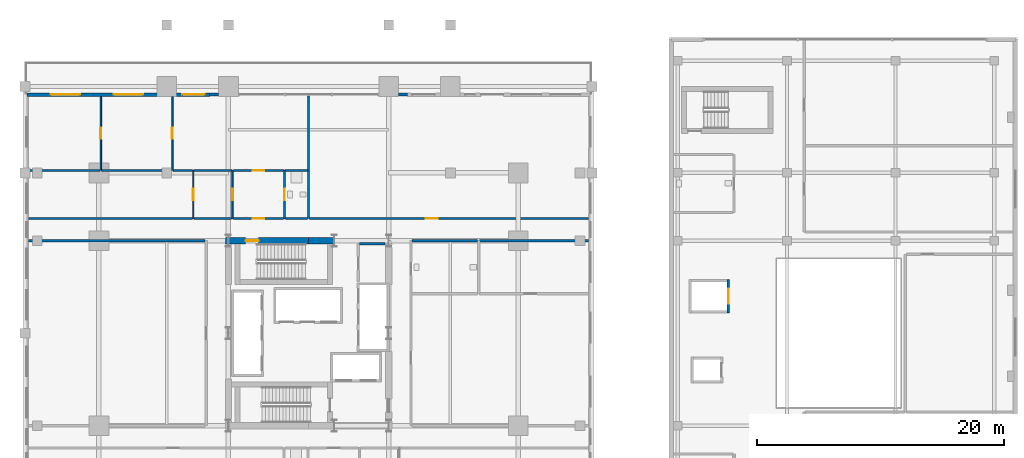
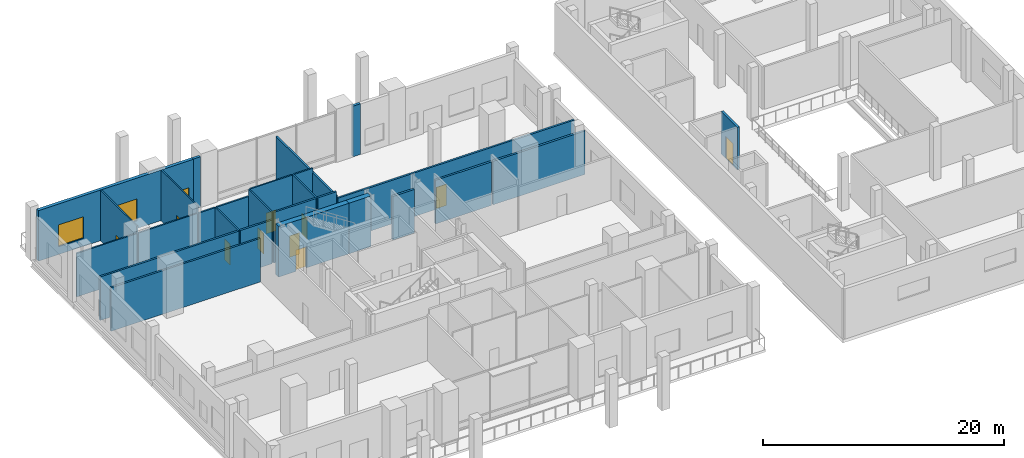
# One storey, part 14 of 22: 27 walls, 10 doors, 3 windows, 13 openings.
"""IFC4 building model written with IfcOpenShell, lengths in metres."""

from ifc_helpers import new_model, si_unit, direction, frame, frame_2d, origin, place, context, subcontext, project, spatial, rectangle, extrude, material, layer, layer_set, type_object, element, fill, save


model = new_model("IFC4")

# Units and contexts
model_context = context("Model", 3, precision=1e-05, world=origin(), true_north=direction((0.0, 1.0)))
body_context = subcontext(model_context, "Body", "Model", "MODEL_VIEW")
ifc_project = project(units=[si_unit("LENGTHUNIT", "METRE"), si_unit("AREAUNIT", "SQUARE_METRE"), si_unit("VOLUMEUNIT", "CUBIC_METRE"), si_unit("PLANEANGLEUNIT", "RADIAN"), si_unit("MASSUNIT", "GRAM", prefix="KILO")], contexts=[model_context])

# Site, building, storey
site_placement = place(None, origin())
site = spatial("IfcSite", under=ifc_project, at=site_placement, CompositionType="ELEMENT")
building_placement = place(site_placement, origin())
building = spatial("IfcBuilding", under=site, at=building_placement, Name="Barlavira Tower and Art Museum", CompositionType="ELEMENT")
storey_placement = place(building_placement, frame((0.0, 0.0, 16.800048828125)))
storey = spatial("IfcBuildingStorey", under=building, at=storey_placement, Name="L03", CompositionType="ELEMENT", Elevation=16.800048828125)

# Wall, opening, door
ifc_material_1 = material(Name="Gypsum acoustic stud partition", Category="gypsum")
ifc_layer_1 = layer(ifc_material_1, 0.1201171875, Name="Gypsum acoustic stud partition")
ifc_layer_set_1 = layer_set([ifc_layer_1], Name="Gypsum acoustic stud partition")
wall_type_1 = type_object("IfcWallType", Name="Apartment Internal Acoustic Partition 120", PredefinedType="PARTITIONING", material=ifc_layer_set_1)
wall_1_placement = place(storey_placement, frame((-16.85009765625, 13.199951171875, 0.0), z_axis=(0.0, 0.0, 1.0), x_axis=(0.0, 1.0, 0.0)))
wall_1 = element("IfcWall", 1, at=wall_1_placement, inside=storey, type_object=wall_type_1, Name="L03 Partition Wall 1", PredefinedType="PARTITIONING", context=body_context, shape_type="SweptSolid", body=[
    extrude(rectangle(XDim=5.9951171875, YDim=0.1201171875, at=frame_2d((2.99755859375, 0.0))), origin(), (0.0, 0.0, 1.0), 5.119873046875),
])
opening_1_placement = place(wall_1_placement, frame((2.550048828125, 0.0, 0.0)))
opening_1 = element("IfcOpeningElement", 2, at=opening_1_placement, cuts=wall_1, Name="Opening D-01", PredefinedType="OPENING", context=body_context, shape_type="SweptSolid", body=[
    extrude(rectangle(XDim=0.89990234375, YDim=2.10009765625, at=frame_2d((0.449951171875, 1.050048828125))), frame((0.0, 0.070068359375, 0.0), z_axis=(0.0, -1.0, 0.0), x_axis=(1.0, 0.0, 0.0)), (0.0, 0.0, 1.0), 0.14013671875),
])
ifc_material_2 = material(Name="Engineered coastal hardwood", Category="wood")
door_type_1 = type_object("IfcDoorType", Name="Internal Bedroom Timber Flush Door 900x2100", OperationType="NOTDEFINED", PredefinedType="DOOR", material=ifc_material_2)
door_1_placement = place(opening_1_placement, origin())
door_1 = element("IfcDoor", 3, at=door_1_placement, inside=storey, type_object=door_type_1, Name="Apartment P3-NW Bedroom 2 Door", OperationType="SINGLE_SWING_RIGHT", OverallHeight=2.10009765625, OverallWidth=0.89990234375, PredefinedType="DOOR", context=body_context, shape_type="SweptSolid", body=[
    extrude(rectangle(XDim=0.89990234375, YDim=2.10009765625, at=frame_2d((0.449951171875, 1.050048828125))), frame((0.0, 0.02490234375, 0.0), z_axis=(0.0, -1.0, 0.0), x_axis=(1.0, 0.0, 0.0)), (0.0, 0.0, 1.0), 0.050048828125),
])
fill(opening_1, door_1)

wall_2_placement = place(storey_placement, frame((-11.050048828125, 13.199951171875, 0.0), z_axis=(0.0, 0.0, 1.0), x_axis=(0.0, 1.0, 0.0)))
wall_2 = element("IfcWall", 4, at=wall_2_placement, inside=storey, type_object=wall_type_1, Name="L03 Partition Wall 2", PredefinedType="PARTITIONING", context=body_context, shape_type="SweptSolid", body=[
    extrude(rectangle(XDim=5.9951171875, YDim=0.1201171875, at=frame_2d((2.99755859375, 0.0))), origin(), (0.0, 0.0, 1.0), 5.119873046875),
])
opening_2_placement = place(wall_2_placement, frame((2.550048828125, 0.0, 0.0)))
opening_2 = element("IfcOpeningElement", 5, at=opening_2_placement, cuts=wall_2, Name="Opening D-01", PredefinedType="OPENING", context=body_context, shape_type="SweptSolid", body=[
    extrude(rectangle(XDim=0.89990234375, YDim=2.10009765625, at=frame_2d((0.449951171875, 1.050048828125))), frame((0.0, 0.070068359375, 0.0), z_axis=(0.0, -1.0, 0.0), x_axis=(1.0, 0.0, 0.0)), (0.0, 0.0, 1.0), 0.14013671875),
])
door_2_placement = place(opening_2_placement, origin())
door_2 = element("IfcDoor", 6, at=door_2_placement, inside=storey, type_object=door_type_1, Name="Apartment P3-NW Bedroom 1 Door", OperationType="SINGLE_SWING_LEFT", OverallHeight=2.10009765625, OverallWidth=0.89990234375, PredefinedType="DOOR", context=body_context, shape_type="SweptSolid", body=[
    extrude(rectangle(XDim=0.89990234375, YDim=2.10009765625, at=frame_2d((0.449951171875, 1.050048828125))), frame((0.0, 0.02490234375, 0.0), z_axis=(0.0, -1.0, 0.0), x_axis=(1.0, 0.0, 0.0)), (0.0, 0.0, 1.0), 0.050048828125),
])
fill(opening_2, door_2)

wall_3_placement = place(storey_placement, frame((-9.35009765625, 9.300048828125, 0.0), z_axis=(0.0, 0.0, 1.0), x_axis=(0.0, 1.0, 0.0)))
wall_3 = element("IfcWall", 7, at=wall_3_placement, inside=storey, type_object=wall_type_1, Name="L03 Partition Wall 3", PredefinedType="PARTITIONING", context=body_context, shape_type="SweptSolid", body=[
    extrude(rectangle(XDim=3.89990234375, YDim=0.1201171875, at=frame_2d((1.949951171875, 0.0))), origin(), (0.0, 0.0, 1.0), 4.409912109375),
])
opening_3_placement = place(wall_3_placement, frame((1.5, 0.0, 0.0)))
opening_3 = element("IfcOpeningElement", 8, at=opening_3_placement, cuts=wall_3, Name="Opening D-01", PredefinedType="OPENING", context=body_context, shape_type="SweptSolid", body=[
    extrude(rectangle(XDim=0.89990234375, YDim=2.10009765625, at=frame_2d((0.449951171875, 1.050048828125))), frame((0.0, 0.070068359375, 0.0), z_axis=(0.0, -1.0, 0.0), x_axis=(1.0, 0.0, 0.0)), (0.0, 0.0, 1.0), 0.14013671875),
])
door_3_placement = place(opening_3_placement, origin())
door_3 = element("IfcDoor", 9, at=door_3_placement, inside=storey, type_object=door_type_1, Name="Apartment P3-NW Walk-In Dressing Room Door", OperationType="SINGLE_SWING_LEFT", OverallHeight=2.10009765625, OverallWidth=0.89990234375, PredefinedType="DOOR", context=body_context, shape_type="SweptSolid", body=[
    extrude(rectangle(XDim=0.89990234375, YDim=2.10009765625, at=frame_2d((0.449951171875, 1.050048828125))), frame((0.0, 0.02490234375, 0.0), z_axis=(0.0, -1.0, 0.0), x_axis=(1.0, 0.0, 0.0)), (0.0, 0.0, 1.0), 0.050048828125),
])
fill(opening_3, door_3)

wall_4_placement = place(storey_placement, frame((-6.14990234375, 9.300048828125, 0.0), z_axis=(0.0, 0.0, 1.0), x_axis=(0.0, 1.0, 0.0)))
wall_4 = element("IfcWall", 10, at=wall_4_placement, inside=storey, type_object=wall_type_1, Name="L03 Partition Wall 5", PredefinedType="PARTITIONING", context=body_context, shape_type="SweptSolid", body=[
    extrude(rectangle(XDim=3.89990234375, YDim=0.1201171875, at=frame_2d((1.949951171875, 0.0))), origin(), (0.0, 0.0, 1.0), 5.119873046875),
])
opening_4_placement = place(wall_4_placement, frame((1.47509765625, 0.0, 0.0)))
opening_4 = element("IfcOpeningElement", 11, at=opening_4_placement, cuts=wall_4, Name="Opening D-02", PredefinedType="OPENING", context=body_context, shape_type="SweptSolid", body=[
    extrude(rectangle(XDim=0.949951171875, YDim=2.10009765625, at=frame_2d((0.47509765625, 1.050048828125))), frame((0.0, 0.070068359375, 0.0), z_axis=(0.0, -1.0, 0.0), x_axis=(1.0, 0.0, 0.0)), (0.0, 0.0, 1.0), 0.14013671875),
])
door_type_2 = type_object("IfcDoorType", Name="Living and Salon Glazed-Leaf Door 950x2100", OperationType="NOTDEFINED", PredefinedType="DOOR", material=ifc_material_2)
door_4_placement = place(opening_4_placement, origin())
door_4 = element("IfcDoor", 12, at=door_4_placement, inside=storey, type_object=door_type_2, Name="Apartment P3-NW Kitchen Door", OperationType="SINGLE_SWING_RIGHT", OverallHeight=2.10009765625, OverallWidth=0.949951171875, PredefinedType="DOOR", context=body_context, shape_type="SweptSolid", body=[
    extrude(rectangle(XDim=0.949951171875, YDim=2.10009765625, at=frame_2d((0.47509765625, 1.050048828125))), frame((0.0, 0.02490234375, 0.0), z_axis=(0.0, -1.0, 0.0), x_axis=(1.0, 0.0, 0.0)), (0.0, 0.0, 1.0), 0.050048828125),
])
fill(opening_4, door_4)

ifc_material_3 = material(Name="Concrete C60", Category="concrete")
ifc_layer_2 = layer(ifc_material_3, 0.5, Name="Concrete C60")
ifc_layer_set_2 = layer_set([ifc_layer_2], Name="Concrete C60")
wall_type_2 = type_object("IfcWallType", Name="Core Structural Shear Wall 500 Concrete C60", PredefinedType="SHEAR", material=ifc_layer_set_2)
wall_5_placement = place(storey_placement, frame((-6.75, 7.5, 0.0), z_axis=(0.0, 0.0, 1.0), x_axis=(1.0, 0.0, 0.0)))
wall_5 = element("IfcWall", 13, at=wall_5_placement, inside=storey, type_object=wall_type_2, Name="L03 Core Shear Wall CS-NW", PredefinedType="SHEAR", context=body_context, shape_type="SweptSolid", body=[
    extrude(rectangle(XDim=6.75, YDim=0.5, at=frame_2d((3.375, 0.0))), origin(), (0.0, 0.0, 1.0), 5.119873046875),
])
opening_5_placement = place(wall_5_placement, frame((1.64990234375, 0.0, 0.0)))
opening_5 = element("IfcOpeningElement", 14, at=opening_5_placement, cuts=wall_5, Name="Opening FD-90", PredefinedType="OPENING", context=body_context, shape_type="SweptSolid", body=[
    extrude(rectangle(XDim=1.050048828125, YDim=2.14990234375, at=frame_2d((0.52490234375, 1.074951171875))), frame((0.0, 0.260009765625, 0.0), z_axis=(0.0, -1.0, 0.0), x_axis=(1.0, 0.0, 0.0)), (0.0, 0.0, 1.0), 0.52001953125),
])
ifc_material_4 = material(Name="Brushed stainless steel", Category="steel")
door_type_3 = type_object("IfcDoorType", Name="Stair and Refuge Fire Door 1050x2150 FD90S", OperationType="NOTDEFINED", PredefinedType="DOOR", material=ifc_material_4)
door_5_placement = place(opening_5_placement, origin())
door_5 = element("IfcDoor", 15, at=door_5_placement, inside=storey, type_object=door_type_3, Name="L03 Stair ST-T2 Fire Door", OperationType="SINGLE_SWING_LEFT", OverallHeight=2.14990234375, OverallWidth=1.050048828125, PredefinedType="DOOR", context=body_context, shape_type="SweptSolid", body=[
    extrude(rectangle(XDim=1.050048828125, YDim=2.14990234375, at=frame_2d((0.52490234375, 1.074951171875))), frame((0.0, 0.02490234375, 0.0), z_axis=(0.0, -1.0, 0.0), x_axis=(1.0, 0.0, 0.0)), (0.0, 0.0, 1.0), 0.050048828125),
])
fill(opening_5, door_5)

# Wall
wall_6_placement = place(storey_placement, frame((0.0, 7.5, 0.0), z_axis=(0.0, 0.0, 1.0), x_axis=(1.0, 0.0, 0.0)))
element("IfcWall", 16, at=wall_6_placement, inside=storey, type_object=wall_type_2, Name="L03 Core Shear Wall CS-EN", PredefinedType="SHEAR", context=body_context, shape_type="SweptSolid", body=[
    extrude(rectangle(XDim=2.080078125, YDim=0.5, at=frame_2d((1.0400390625, 0.0))), origin(), (0.0, 0.0, 1.0), 5.119873046875),
])

# Wall, opening, door
ifc_material_5 = material(Name="Autoclaved aerated concrete masonry", Category="masonry")
ifc_layer_3 = layer(ifc_material_5, 0.199951171875, Name="Autoclaved aerated concrete masonry")
ifc_layer_set_3 = layer_set([ifc_layer_3], Name="Autoclaved aerated concrete masonry")
wall_type_3 = type_object("IfcWallType", Name="Fire Compartment and Shaft Wall 200", PredefinedType="SOLIDWALL", material=ifc_layer_set_3)
wall_7_placement = place(storey_placement, frame((34.050048828125, 1.64990234375, 0.0), z_axis=(0.0, 0.0, 1.0), x_axis=(0.0, 1.0, 0.0)))
wall_7 = element("IfcWall", 17, at=wall_7_placement, inside=storey, type_object=wall_type_3, Name="L03 Museum Lift MG1 Front Wall", PredefinedType="SOLIDWALL", context=body_context, shape_type="SweptSolid", body=[
    extrude(rectangle(XDim=2.7001953125, YDim=0.199951171875, at=frame_2d((1.35009765625, 0.0))), origin(), (0.0, 0.0, 1.0), 4.296875),
])
opening_6_placement = place(wall_7_placement, frame((0.75, 0.0, 0.0)))
opening_6 = element("IfcOpeningElement", 18, at=opening_6_placement, cuts=wall_7, Name="Opening LD-F", PredefinedType="OPENING", context=body_context, shape_type="SweptSolid", body=[
    extrude(rectangle(XDim=1.199951171875, YDim=2.199951171875, at=frame_2d((0.60009765625, 1.10009765625))), frame((0.0, 0.10986328125, 0.0), z_axis=(0.0, -1.0, 0.0), x_axis=(1.0, 0.0, 0.0)), (0.0, 0.0, 1.0), 0.219970703125),
])
door_type_4 = type_object("IfcDoorType", Name="Firefighting and Service Lift Sliding Door 1200x2200 FD120", OperationType="NOTDEFINED", PredefinedType="DOOR", material=ifc_material_4)
door_6_placement = place(opening_6_placement, origin())
door_6 = element("IfcDoor", 19, at=door_6_placement, inside=storey, type_object=door_type_4, Name="L03 Museum Lift MG1 Sliding Landing Door", OperationType="DOUBLE_DOOR_SLIDING", OverallHeight=2.199951171875, OverallWidth=1.199951171875, PredefinedType="DOOR", context=body_context, shape_type="SweptSolid", body=[
    extrude(rectangle(XDim=1.199951171875, YDim=2.199951171875, at=frame_2d((0.60009765625, 1.10009765625))), frame((0.0, 0.02490234375, 0.0), z_axis=(0.0, -1.0, 0.0), x_axis=(1.0, 0.0, 0.0)), (0.0, 0.0, 1.0), 0.050048828125),
])
fill(opening_6, door_6)

# Walls
wall_8_placement = place(storey_placement, frame((4.1298828125, 7.25, 0.0), z_axis=(0.0, 0.0, 1.0), x_axis=(1.0, 0.0, 0.0)))
element("IfcWall", 20, at=wall_8_placement, inside=storey, type_object=wall_type_3, Name="L03 Partition Wall 43", PredefinedType="SOLIDWALL", context=body_context, shape_type="SweptSolid", body=[
    extrude(rectangle(XDim=2.070068359375, YDim=0.199951171875, at=frame_2d((1.03515625, 0.0))), origin(), (0.0, 0.0, 1.0), 4.409912109375),
])
wall_9_placement = place(storey_placement, frame((8.3798828125, 7.5, 0.0), z_axis=(0.0, 0.0, 1.0), x_axis=(1.0, 0.0, 0.0)))
element("IfcWall", 21, at=wall_9_placement, inside=storey, type_object=wall_type_3, Name="L03 Partition Wall 45", PredefinedType="SOLIDWALL", context=body_context, shape_type="SweptSolid", body=[
    extrude(rectangle(XDim=5.340087890625, YDim=0.199951171875, at=frame_2d((2.669921875, 0.0))), origin(), (0.0, 0.0, 1.0), 4.409912109375),
])
wall_10_placement = place(storey_placement, frame((13.8798828125, 7.5, 0.0), z_axis=(0.0, 0.0, 1.0), x_axis=(1.0, 0.0, 0.0)))
element("IfcWall", 22, at=wall_10_placement, inside=storey, type_object=wall_type_3, Name="L03 Partition Wall 46", PredefinedType="SOLIDWALL", context=body_context, shape_type="SweptSolid", body=[
    extrude(rectangle(XDim=8.815185546875, YDim=0.199951171875, at=frame_2d((4.40771484375, 0.0))), origin(), (0.0, 0.0, 1.0), 4.409912109375),
])
ifc_layer_4 = layer(ifc_material_1, 0.179931640625, Name="Gypsum acoustic stud partition")
ifc_layer_set_4 = layer_set([ifc_layer_4], Name="Gypsum acoustic stud partition")
wall_type_4 = type_object("IfcWallType", Name="Inter-Tenancy Party Partition Wall 180", PredefinedType="PARTITIONING", material=ifc_layer_set_4)
wall_11_placement = place(storey_placement, frame((0.0, 9.300048828125, 0.0), z_axis=(0.0, 0.0, 1.0), x_axis=(0.0, 1.0, 0.0)))
element("IfcWall", 23, at=wall_11_placement, inside=storey, type_object=wall_type_4, Name="L03 Partition Wall 9", PredefinedType="PARTITIONING", context=body_context, shape_type="SweptSolid", body=[
    extrude(rectangle(XDim=9.954833984375, YDim=0.179931640625, at=frame_2d((4.9775390625, 0.0))), origin(), (0.0, 0.0, 1.0), 4.641845703125),
])
wall_12_placement = place(storey_placement, frame((-22.695068359375, 7.5, 0.0), z_axis=(0.0, 0.0, 1.0), x_axis=(1.0, 0.0, 0.0)))
element("IfcWall", 24, at=wall_12_placement, inside=storey, type_object=wall_type_4, Name="L03 Partition Wall 44", PredefinedType="PARTITIONING", context=body_context, shape_type="SweptSolid", body=[
    extrude(rectangle(XDim=14.315185546875, YDim=0.179931640625, at=frame_2d((7.15771484375, 0.0))), origin(), (0.0, 0.0, 1.0), 4.409912109375),
])
wall_13_placement = place(storey_placement, frame((-22.695068359375, 9.300048828125, 0.0), z_axis=(0.0, 0.0, 1.0), x_axis=(1.0, 0.0, 0.0)))
element("IfcWall", 25, at=wall_13_placement, inside=storey, type_object=wall_type_4, Name="L03 Partition Wall 48", PredefinedType="PARTITIONING", context=body_context, shape_type="SweptSolid", body=[
    extrude(rectangle(XDim=13.26513671875, YDim=0.179931640625, at=frame_2d((6.632568359375, 0.0))), origin(), (0.0, 0.0, 1.0), 4.409912109375),
])
wall_14_placement = place(storey_placement, frame((-9.27001953125, 9.300048828125, 0.0), z_axis=(0.0, 0.0, 1.0), x_axis=(1.0, 0.0, 0.0)))
element("IfcWall", 26, at=wall_14_placement, inside=storey, type_object=wall_type_4, Name="L03 Partition Wall 49", PredefinedType="PARTITIONING", context=body_context, shape_type="SweptSolid", body=[
    extrude(rectangle(XDim=3.0400390625, YDim=0.179931640625, at=frame_2d((1.52001953125, 0.0))), origin(), (0.0, 0.0, 1.0), 4.409912109375),
])

# Wall, opening, door
wall_15_placement = place(storey_placement, frame((-6.070068359375, 9.300048828125, 0.0), z_axis=(0.0, 0.0, 1.0), x_axis=(1.0, 0.0, 0.0)))
wall_15 = element("IfcWall", 27, at=wall_15_placement, inside=storey, type_object=wall_type_4, Name="L03 Partition Wall 50", PredefinedType="PARTITIONING", context=body_context, shape_type="SweptSolid", body=[
    extrude(rectangle(XDim=4.0400390625, YDim=0.179931640625, at=frame_2d((2.02001953125, 0.0))), origin(), (0.0, 0.0, 1.0), 5.119873046875),
])
opening_7_placement = place(wall_15_placement, frame((1.544921875, 0.0, 0.0)))
opening_7 = element("IfcOpeningElement", 28, at=opening_7_placement, cuts=wall_15, Name="Opening FD-60", PredefinedType="OPENING", context=body_context, shape_type="SweptSolid", body=[
    extrude(rectangle(XDim=0.949951171875, YDim=2.14990234375, at=frame_2d((0.47509765625, 1.074951171875))), frame((0.0, 0.10009765625, 0.0), z_axis=(0.0, -1.0, 0.0), x_axis=(1.0, 0.0, 0.0)), (0.0, 0.0, 1.0), 0.199951171875),
])
door_type_5 = type_object("IfcDoorType", Name="Apartment Entrance and Riser Fire Door 950x2150 FD60S", OperationType="NOTDEFINED", PredefinedType="DOOR", material=ifc_material_4)
door_7_placement = place(opening_7_placement, origin())
door_7 = element("IfcDoor", 29, at=door_7_placement, inside=storey, type_object=door_type_5, Name="Apartment Entrance Hall P3-NW Door", OperationType="SINGLE_SWING_LEFT", OverallHeight=2.14990234375, OverallWidth=0.949951171875, PredefinedType="DOOR", context=body_context, shape_type="SweptSolid", body=[
    extrude(rectangle(XDim=0.949951171875, YDim=2.14990234375, at=frame_2d((0.47509765625, 1.074951171875))), frame((0.0, 0.02490234375, 0.0), z_axis=(0.0, -1.0, 0.0), x_axis=(1.0, 0.0, 0.0)), (0.0, 0.0, 1.0), 0.050048828125),
])
fill(opening_7, door_7)

# Wall
wall_16_placement = place(storey_placement, frame((-1.8701171875, 9.300048828125, 0.0), z_axis=(0.0, 0.0, 1.0), x_axis=(1.0, 0.0, 0.0)))
element("IfcWall", 30, at=wall_16_placement, inside=storey, type_object=wall_type_4, Name="L03 Partition Wall 51", PredefinedType="PARTITIONING", context=body_context, shape_type="SweptSolid", body=[
    extrude(rectangle(XDim=1.7900390625, YDim=0.179931640625, at=frame_2d((0.89501953125, 0.0))), origin(), (0.0, 0.0, 1.0), 5.119873046875),
])

# Wall, opening, door
wall_17_placement = place(storey_placement, frame((0.080078125, 9.300048828125, 0.0), z_axis=(0.0, 0.0, 1.0), x_axis=(1.0, 0.0, 0.0)))
wall_17 = element("IfcWall", 31, at=wall_17_placement, inside=storey, type_object=wall_type_4, Name="L03 Partition Wall 52", PredefinedType="PARTITIONING", context=body_context, shape_type="SweptSolid", body=[
    extrude(rectangle(XDim=22.614990234375, YDim=0.179931640625, at=frame_2d((11.3076171875, 0.0))), origin(), (0.0, 0.0, 1.0), 4.409912109375),
])
opening_8_placement = place(wall_17_placement, frame((9.445068359375, 0.0, 0.0)))
opening_8 = element("IfcOpeningElement", 32, at=opening_8_placement, cuts=wall_17, Name="Opening FD-60", PredefinedType="OPENING", context=body_context, shape_type="SweptSolid", body=[
    extrude(rectangle(XDim=0.949951171875, YDim=2.14990234375, at=frame_2d((0.47509765625, 1.074951171875))), frame((0.0, 0.10009765625, 0.0), z_axis=(0.0, -1.0, 0.0), x_axis=(1.0, 0.0, 0.0)), (0.0, 0.0, 1.0), 0.199951171875),
])
door_8_placement = place(opening_8_placement, origin())
door_8 = element("IfcDoor", 33, at=door_8_placement, inside=storey, type_object=door_type_5, Name="Resident Screening and Music Salon Door", OperationType="SINGLE_SWING_LEFT", OverallHeight=2.14990234375, OverallWidth=0.949951171875, PredefinedType="DOOR", context=body_context, shape_type="SweptSolid", body=[
    extrude(rectangle(XDim=0.949951171875, YDim=2.14990234375, at=frame_2d((0.47509765625, 1.074951171875))), frame((0.0, 0.02490234375, 0.0), z_axis=(0.0, -1.0, 0.0), x_axis=(1.0, 0.0, 0.0)), (0.0, 0.0, 1.0), 0.050048828125),
])
fill(opening_8, door_8)

ifc_layer_5 = layer(ifc_material_1, 0.139892578125, Name="Gypsum acoustic stud partition")
ifc_layer_set_5 = layer_set([ifc_layer_5], Name="Gypsum acoustic stud partition")
wall_type_5 = type_object("IfcWallType", Name="Moisture-Resistant Bathroom Partition 140", PredefinedType="PARTITIONING", material=ifc_layer_set_5)
wall_18_placement = place(storey_placement, frame((-1.949951171875, 9.300048828125, 0.0), z_axis=(0.0, 0.0, 1.0), x_axis=(0.0, 1.0, 0.0)))
wall_18 = element("IfcWall", 34, at=wall_18_placement, inside=storey, type_object=wall_type_5, Name="L03 Partition Wall 7", PredefinedType="PARTITIONING", context=body_context, shape_type="SweptSolid", body=[
    extrude(rectangle(XDim=3.89990234375, YDim=0.139892578125, at=frame_2d((1.949951171875, 0.0))), origin(), (0.0, 0.0, 1.0), 5.119873046875),
])
opening_9_placement = place(wall_18_placement, frame((1.5, 0.0, 0.0)))
opening_9 = element("IfcOpeningElement", 35, at=opening_9_placement, cuts=wall_18, Name="Opening D-WC", PredefinedType="OPENING", context=body_context, shape_type="SweptSolid", body=[
    extrude(rectangle(XDim=0.89990234375, YDim=2.10009765625, at=frame_2d((0.449951171875, 1.050048828125))), frame((0.0, 0.080078125, 0.0), z_axis=(0.0, -1.0, 0.0), x_axis=(1.0, 0.0, 0.0)), (0.0, 0.0, 1.0), 0.159912109375),
])
door_type_6 = type_object("IfcDoorType", Name="Accessible Bathroom Flush Door 900x2100", OperationType="NOTDEFINED", PredefinedType="DOOR", material=ifc_material_2)
door_9_placement = place(opening_9_placement, origin())
door_9 = element("IfcDoor", 36, at=door_9_placement, inside=storey, type_object=door_type_6, Name="Apartment P3-NW Hall Bathroom Door", OperationType="SINGLE_SWING_RIGHT", OverallHeight=2.10009765625, OverallWidth=0.89990234375, PredefinedType="DOOR", context=body_context, shape_type="SweptSolid", body=[
    extrude(rectangle(XDim=0.89990234375, YDim=2.10009765625, at=frame_2d((0.449951171875, 1.050048828125))), frame((0.0, 0.02490234375, 0.0), z_axis=(0.0, -1.0, 0.0), x_axis=(1.0, 0.0, 0.0)), (0.0, 0.0, 1.0), 0.050048828125),
])
fill(opening_9, door_9)

# Walls
wall_19_placement = place(storey_placement, frame((-22.695068359375, 13.199951171875, 0.0), z_axis=(0.0, 0.0, 1.0), x_axis=(1.0, 0.0, 0.0)))
element("IfcWall", 37, at=wall_19_placement, inside=storey, type_object=wall_type_5, Name="L03 Partition Wall 54", PredefinedType="PARTITIONING", context=body_context, shape_type="SweptSolid", body=[
    extrude(rectangle(XDim=5.76513671875, YDim=0.139892578125, at=frame_2d((2.882568359375, 0.0))), origin(), (0.0, 0.0, 1.0), 4.409912109375),
])
wall_20_placement = place(storey_placement, frame((-16.77001953125, 13.199951171875, 0.0), z_axis=(0.0, 0.0, 1.0), x_axis=(1.0, 0.0, 0.0)))
element("IfcWall", 38, at=wall_20_placement, inside=storey, type_object=wall_type_5, Name="L03 Partition Wall 55", PredefinedType="PARTITIONING", context=body_context, shape_type="SweptSolid", body=[
    extrude(rectangle(XDim=5.64013671875, YDim=0.139892578125, at=frame_2d((2.820068359375, 0.0))), origin(), (0.0, 0.0, 1.0), 4.409912109375),
])
wall_21_placement = place(storey_placement, frame((-10.969970703125, 13.199951171875, 0.0), z_axis=(0.0, 0.0, 1.0), x_axis=(1.0, 0.0, 0.0)))
element("IfcWall", 39, at=wall_21_placement, inside=storey, type_object=wall_type_5, Name="L03 Partition Wall 56", PredefinedType="PARTITIONING", context=body_context, shape_type="SweptSolid", body=[
    extrude(rectangle(XDim=1.5400390625, YDim=0.139892578125, at=frame_2d((0.77001953125, 0.0))), origin(), (0.0, 0.0, 1.0), 4.409912109375),
])
wall_22_placement = place(storey_placement, frame((-9.27001953125, 13.199951171875, 0.0), z_axis=(0.0, 0.0, 1.0), x_axis=(1.0, 0.0, 0.0)))
element("IfcWall", 40, at=wall_22_placement, inside=storey, type_object=wall_type_5, Name="L03 Partition Wall 57", PredefinedType="PARTITIONING", context=body_context, shape_type="SweptSolid", body=[
    extrude(rectangle(XDim=3.0400390625, YDim=0.139892578125, at=frame_2d((1.52001953125, 0.0))), origin(), (0.0, 0.0, 1.0), 4.409912109375),
])

# Wall, opening, door
wall_23_placement = place(storey_placement, frame((-6.070068359375, 13.199951171875, 0.0), z_axis=(0.0, 0.0, 1.0), x_axis=(1.0, 0.0, 0.0)))
wall_23 = element("IfcWall", 41, at=wall_23_placement, inside=storey, type_object=wall_type_5, Name="L03 Partition Wall 58", PredefinedType="PARTITIONING", context=body_context, shape_type="SweptSolid", body=[
    extrude(rectangle(XDim=4.0400390625, YDim=0.139892578125, at=frame_2d((2.02001953125, 0.0))), origin(), (0.0, 0.0, 1.0), 5.119873046875),
])
opening_10_placement = place(wall_23_placement, frame((1.544921875, 0.0, 0.0)))
opening_10 = element("IfcOpeningElement", 42, at=opening_10_placement, cuts=wall_23, Name="Opening D-02", PredefinedType="OPENING", context=body_context, shape_type="SweptSolid", body=[
    extrude(rectangle(XDim=0.949951171875, YDim=2.10009765625, at=frame_2d((0.47509765625, 1.050048828125))), frame((0.0, 0.080078125, 0.0), z_axis=(0.0, -1.0, 0.0), x_axis=(1.0, 0.0, 0.0)), (0.0, 0.0, 1.0), 0.159912109375),
])
door_10_placement = place(opening_10_placement, origin())
door_10 = element("IfcDoor", 43, at=door_10_placement, inside=storey, type_object=door_type_2, Name="Apartment P3-NW Living Lounge Door", OperationType="SINGLE_SWING_RIGHT", OverallHeight=2.10009765625, OverallWidth=0.949951171875, PredefinedType="DOOR", context=body_context, shape_type="SweptSolid", body=[
    extrude(rectangle(XDim=0.949951171875, YDim=2.10009765625, at=frame_2d((0.47509765625, 1.050048828125))), frame((0.0, 0.02490234375, 0.0), z_axis=(0.0, -1.0, 0.0), x_axis=(1.0, 0.0, 0.0)), (0.0, 0.0, 1.0), 0.050048828125),
])
fill(opening_10, door_10)

# Walls
wall_24_placement = place(storey_placement, frame((-1.8701171875, 13.199951171875, 0.0), z_axis=(0.0, 0.0, 1.0), x_axis=(1.0, 0.0, 0.0)))
element("IfcWall", 44, at=wall_24_placement, inside=storey, type_object=wall_type_5, Name="L03 Partition Wall 59", PredefinedType="PARTITIONING", context=body_context, shape_type="SweptSolid", body=[
    extrude(rectangle(XDim=1.7900390625, YDim=0.139892578125, at=frame_2d((0.89501953125, 0.0))), origin(), (0.0, 0.0, 1.0), 5.119873046875),
])
ifc_material_6 = material(Name="Precast concrete C40", Category="concrete")
ifc_layer_6 = layer(ifc_material_6, 0.25, Name="Precast concrete C40")
ifc_layer_set_6 = layer_set([ifc_layer_6], Name="Precast concrete C40")
wall_type_6 = type_object("IfcWallType", Name="Notched Corner Spandrel Wall 250 Precast Concrete C40", PredefinedType="SOLIDWALL", material=ifc_layer_set_6)
for number, where, z_axis, x_axis, name in (
    (45, (8.02490234375, 19.35009765625, 0.0), (0.0, 0.0, 1.0), (-1.0, 0.0, 0.0), "L03 Coastal Facade Pier Wall CW1-L03-N-1"),
    (46, (-7.294921875, 19.35009765625, 0.0), (0.0, 0.0, 1.0), (-1.0, 0.0, 0.0), "L03 Coastal Facade Pier Wall CW1-L03-N-3"),
):
    element("IfcWall", number, at=place(storey_placement, frame(where, z_axis=z_axis, x_axis=x_axis)), inside=storey, type_object=wall_type_6, Name=name, PredefinedType="SOLIDWALL", context=body_context, shape_type="SweptSolid", body=[
        extrude(rectangle(XDim=0.72998046875, YDim=0.25, at=frame_2d((0.364990234375, 0.0))), origin(), (0.0, 0.0, 1.0), 5.119873046875),
    ])

# Wall, openings, windows
ifc_layer_7 = layer(ifc_material_6, 0.300048828125, Name="Precast concrete C40")
ifc_layer_set_7 = layer_set([ifc_layer_7], Name="Precast concrete C40")
wall_type_7 = type_object("IfcWallType", Name="Podium Architectural Precast Facade Wall 300 Concrete C40", PredefinedType="SOLIDWALL", material=ifc_layer_set_7)
wall_25_placement = place(storey_placement, frame((-22.85009765625, 19.35009765625, 0.0), z_axis=(0.0, 0.0, 1.0), x_axis=(1.0, 0.0, 0.0)))
wall_25 = element("IfcWall", 47, at=wall_25_placement, inside=storey, type_object=wall_type_7, Name="L03 Podium North-West Wall", PredefinedType="SOLIDWALL", context=body_context, shape_type="SweptSolid", body=[
    extrude(rectangle(XDim=14.85009765625, YDim=0.300048828125, at=frame_2d((7.425048828125, 0.0))), origin(), (0.0, 0.0, 1.0), 5.119873046875),
])
opening_11_placement = place(wall_25_placement, frame((1.93505859375, 0.0, 0.800048828125)))
opening_11 = element("IfcOpeningElement", 48, at=opening_11_placement, cuts=wall_25, Name="Opening WN-02", PredefinedType="OPENING", context=body_context, shape_type="SweptSolid", body=[
    extrude(rectangle(XDim=2.39990234375, YDim=2.199951171875, at=frame_2d((1.199951171875, 1.10009765625))), frame((0.0, 0.16015625, 0.0), z_axis=(0.0, -1.0, 0.0), x_axis=(1.0, 0.0, 0.0)), (0.0, 0.0, 1.0), 0.320068359375),
])
opening_12_placement = place(wall_25_placement, frame((7.044921875, 0.0, 0.800048828125)))
opening_12 = element("IfcOpeningElement", 49, at=opening_12_placement, cuts=wall_25, Name="Opening WN-02", PredefinedType="OPENING", context=body_context, shape_type="SweptSolid", body=[
    extrude(rectangle(XDim=2.39990234375, YDim=2.199951171875, at=frame_2d((1.199951171875, 1.10009765625))), frame((0.0, 0.16015625, 0.0), z_axis=(0.0, -1.0, 0.0), x_axis=(1.0, 0.0, 0.0)), (0.0, 0.0, 1.0), 0.320068359375),
])
opening_13_placement = place(wall_25_placement, frame((12.6201171875, 0.0, 0.719970703125)))
opening_13 = element("IfcOpeningElement", 50, at=opening_13_placement, cuts=wall_25, Name="Opening WN-01", PredefinedType="OPENING", context=body_context, shape_type="SweptSolid", body=[
    extrude(rectangle(XDim=1.800048828125, YDim=1.679931640625, at=frame_2d((0.89990234375, 0.83984375))), frame((0.0, 0.16015625, 0.0), z_axis=(0.0, -1.0, 0.0), x_axis=(1.0, 0.0, 0.0)), (0.0, 0.0, 1.0), 0.320068359375),
])
ifc_material_7 = material(Name="Low-iron coastal laminated glass", Category="glass")
window_type_1 = type_object("IfcWindowType", Name="Podium Garden Gallery Window 2400x2200", PartitioningType="SINGLE_PANEL", PredefinedType="WINDOW", material=ifc_material_7)
window_1_placement = place(opening_11_placement, origin())
window_1 = element("IfcWindow", 51, at=window_1_placement, inside=storey, type_object=window_type_1, Name="L03 Punched Facade Window EW-L03-NW-1", OverallHeight=2.199951171875, OverallWidth=2.39990234375, PartitioningType="SINGLE_PANEL", PredefinedType="WINDOW", context=body_context, shape_type="SweptSolid", body=[
    extrude(rectangle(XDim=2.39990234375, YDim=2.199951171875, at=frame_2d((1.199951171875, 1.10009765625))), frame((0.0, 0.030029296875, 0.0), z_axis=(0.0, -1.0, 0.0), x_axis=(1.0, 0.0, 0.0)), (0.0, 0.0, 1.0), 0.06005859375),
])
fill(opening_11, window_1)
window_2_placement = place(opening_12_placement, origin())
window_2 = element("IfcWindow", 52, at=window_2_placement, inside=storey, type_object=window_type_1, Name="L03 Punched Facade Window EW-L03-NW-2", OverallHeight=2.199951171875, OverallWidth=2.39990234375, PartitioningType="SINGLE_PANEL", PredefinedType="WINDOW", context=body_context, shape_type="SweptSolid", body=[
    extrude(rectangle(XDim=2.39990234375, YDim=2.199951171875, at=frame_2d((1.199951171875, 1.10009765625))), frame((0.0, 0.030029296875, 0.0), z_axis=(0.0, -1.0, 0.0), x_axis=(1.0, 0.0, 0.0)), (0.0, 0.0, 1.0), 0.06005859375),
])
fill(opening_12, window_2)
window_type_2 = type_object("IfcWindowType", Name="Recessed Notch Corner Punch Window 1800x1680", PartitioningType="SINGLE_PANEL", PredefinedType="WINDOW", material=ifc_material_7)
window_3_placement = place(opening_13_placement, origin())
window_3 = element("IfcWindow", 53, at=window_3_placement, inside=storey, type_object=window_type_2, Name="L03 Punched Facade Window EW-L03-NW-3", OverallHeight=1.679931640625, OverallWidth=1.800048828125, PartitioningType="SINGLE_PANEL", PredefinedType="WINDOW", context=body_context, shape_type="SweptSolid", body=[
    extrude(rectangle(XDim=1.800048828125, YDim=1.679931640625, at=frame_2d((0.89990234375, 0.83984375))), frame((0.0, 0.030029296875, 0.0), z_axis=(0.0, -1.0, 0.0), x_axis=(1.0, 0.0, 0.0)), (0.0, 0.0, 1.0), 0.06005859375),
])
fill(opening_13, window_3)

save(model, "model.ifc")
